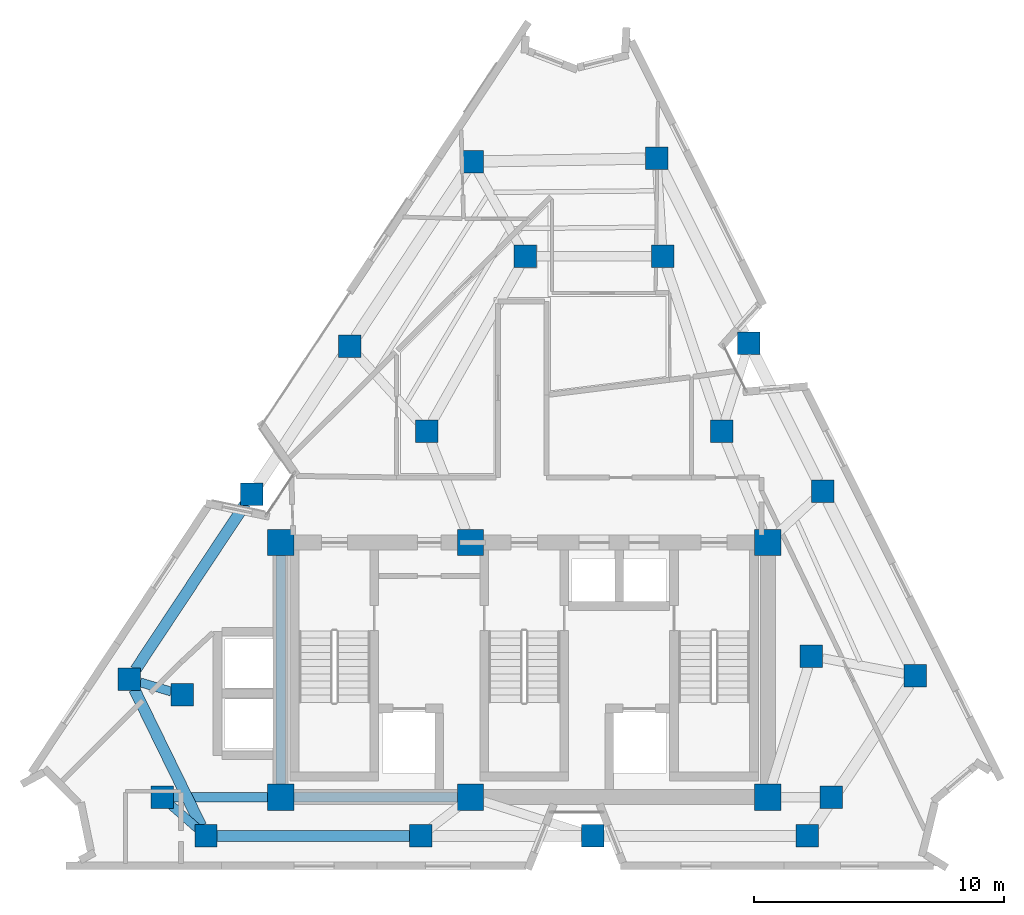
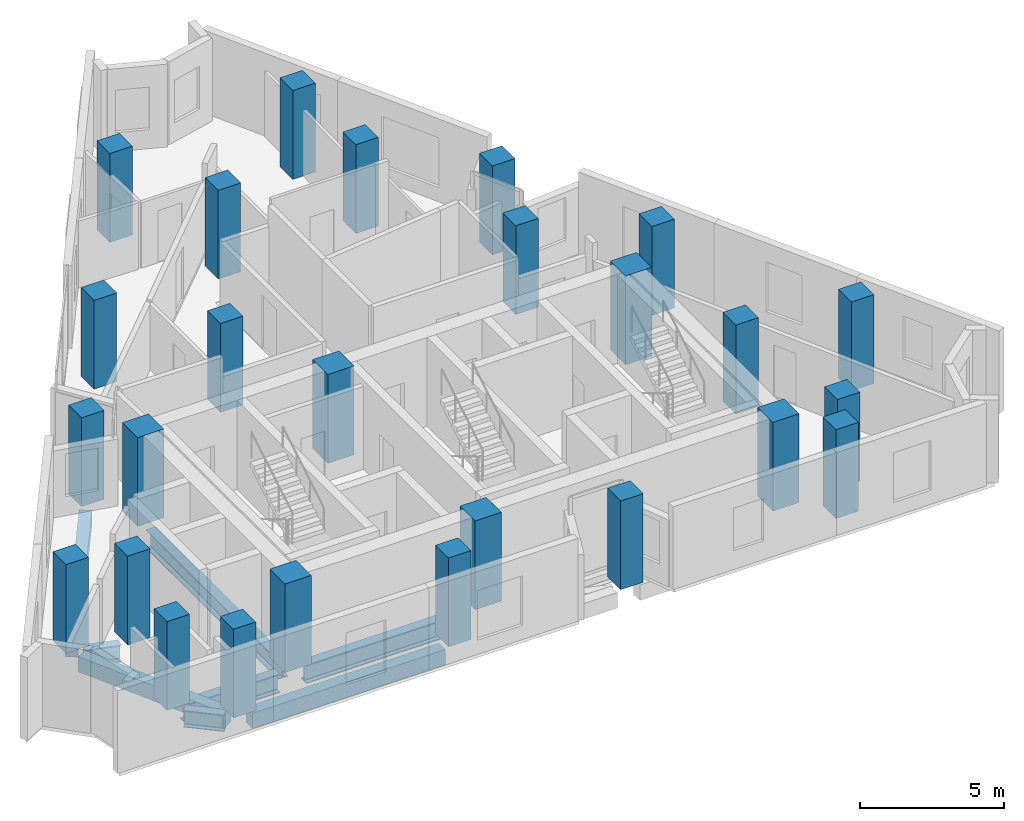
# One storey, part 1 of 8: 26 columns, 8 beams.
"""IFC4 building model written with IfcOpenShell, lengths in metres."""

from ifc_helpers import new_model, si_unit, direction, frame, origin, origin_2d, place, context, subcontext, project, spatial, rectangle, i_section, extrude, material, material_profile, profile_set, type_object, element, save


model = new_model("IFC4")

# Units and contexts
model_context = context("Model", 3, precision=1e-05, world=origin(), true_north=direction((0.0, 1.0)))
body_context = subcontext(model_context, "Body", "Model", "MODEL_VIEW")
ifc_project = project(units=[si_unit("LENGTHUNIT", "METRE"), si_unit("AREAUNIT", "SQUARE_METRE"), si_unit("VOLUMEUNIT", "CUBIC_METRE"), si_unit("PLANEANGLEUNIT", "RADIAN"), si_unit("MASSUNIT", "GRAM", prefix="KILO")], contexts=[model_context])

# Site, building, storey
site_placement = place(None, origin())
site = spatial("IfcSite", under=ifc_project, at=site_placement, CompositionType="ELEMENT")
building_placement = place(site_placement, origin())
building = spatial("IfcBuilding", under=site, at=building_placement, Name="Almagre Mirador Tower", CompositionType="ELEMENT")
storey_placement = place(building_placement, frame((0.0, 0.0, 263.25)))
storey = spatial("IfcBuildingStorey", under=building, at=storey_placement, Name="L68", CompositionType="ELEMENT", Elevation=263.25)

# Columns
ifc_material_1 = material(Name="Concrete C60/75", Category="concrete")
ifc_material_profile_1 = material_profile(ifc_material_1, rectangle(XDim=1.050048828125, YDim=1.050048828125, at=origin_2d()), Name="RC1050X1050")
ifc_profile_set_1 = profile_set([ifc_material_profile_1], Name="Concrete C60/75")
column_type_1 = type_object("IfcColumnType", Name="COL-RC1050", PredefinedType="COLUMN", material=ifc_profile_set_1)
for number, where, z_axis, x_axis, name in (
    (1, (27.550048828125, 4.550048828125, 0.0), (0.0, 0.0, 1.0), (1.0, 0.0, 0.0), "L68 core spine column CC1"),
    (2, (35.14990234375, 4.550048828125, 0.0), (0.0, 0.0, 1.0), (1.0, 0.0, 0.0), "L68 core spine column CC2"),
    (3, (47.050048828125, 4.550048828125, 0.0), (0.0, 0.0, 1.0), (1.0, 0.0, 0.0), "L68 core spine column CC3"),
    (4, (27.550048828125, 14.75, 0.0), (0.0, 0.0, 1.0), (1.0, 0.0, 0.0), "L68 core spine column CC4"),
    (5, (35.14990234375, 14.75, 0.0), (0.0, 0.0, 1.0), (1.0, 0.0, 0.0), "L68 core spine column CC5"),
    (6, (47.050048828125, 14.75, 0.0), (0.0, 0.0, 1.0), (1.0, 0.0, 0.0), "L68 core spine column CC6"),
):
    element("IfcColumn", number, at=place(storey_placement, frame(where, z_axis=z_axis, x_axis=x_axis)), inside=storey, type_object=column_type_1, Name=name, PredefinedType="COLUMN", context=body_context, shape_type="SweptSolid", body=[
        extrude(rectangle(XDim=1.050048828125, YDim=1.050048828125, at=origin_2d()), origin(), (0.0, 0.0, 1.0), 3.75),
    ])
ifc_material_2 = material(Name="Concrete C60/75", Category="concrete")
ifc_material_profile_2 = material_profile(ifc_material_2, rectangle(XDim=0.89990234375, YDim=0.89990234375, at=origin_2d()), Name="RC900X900")
ifc_profile_set_2 = profile_set([ifc_material_profile_2], Name="Concrete C60/75")
column_type_2 = type_object("IfcColumnType", Name="COL-RC900", PredefinedType="COLUMN", material=ifc_profile_set_2)
for number, where, z_axis, x_axis, name in (
    (7, (22.800048828125, 4.550048828125, 0.0), (0.0, 0.0, 1.0), (1.0, 0.0, 0.0), "L68 interior transfer column MC1"),
    (8, (49.60009765625, 4.550048828125, 0.0), (0.0, 0.0, 1.0), (1.0, 0.0, 0.0), "L68 interior transfer column MC2"),
    (9, (48.800048828125, 10.199951171875, 0.0), (0.0, 0.0, 1.0), (1.0, 0.0, 0.0), "L68 interior transfer column MC3"),
    (10, (45.199951171875, 19.199951171875, 0.0), (0.0, 0.0, 1.0), (1.0, 0.0, 0.0), "L68 interior transfer column MC5"),
    (11, (42.85009765625, 26.199951171875, 0.0), (0.0, 0.0, 1.0), (1.0, 0.0, 0.0), "L68 interior transfer column MC6"),
    (12, (37.35009765625, 26.199951171875, 0.0), (0.0, 0.0, 1.0), (1.0, 0.0, 0.0), "L68 interior transfer column MC7"),
    (13, (33.39990234375, 19.199951171875, 0.0), (0.0, 0.0, 1.0), (1.0, 0.0, 0.0), "L68 interior transfer column MC8"),
    (14, (23.60009765625, 8.64990234375, 0.0), (0.0, 0.0, 1.0), (1.0, 0.0, 0.0), "L68 interior transfer column MC10"),
    (15, (24.56005859375, 3.0, 0.0), (0.0, 0.0, 1.0), (1.0, 0.0, 0.0), "L68 perimeter column PC01"),
    (16, (33.159912109375, 3.0, 0.0), (0.0, 0.0, 1.0), (1.0, 0.0, 0.0), "L68 perimeter column PC02"),
    (17, (40.0400390625, 3.0, 0.0), (0.0, 0.0, 1.0), (1.0, 0.0, 0.0), "L68 perimeter column PC03"),
    (18, (48.639892578125, 3.0, 0.0), (0.0, 0.0, 1.0), (1.0, 0.0, 0.0), "L68 perimeter column PC04"),
    (19, (52.95703125, 9.403076171875, 0.0), (0.0, 0.0, 1.0), (1.0, 0.0, 0.0), "L68 perimeter column PC05"),
    (20, (49.257080078125, 16.802978515625, 0.0), (0.0, 0.0, 1.0), (1.0, 0.0, 0.0), "L68 perimeter column PC06"),
    (21, (46.297119140625, 22.722900390625, 0.0), (0.0, 0.0, 1.0), (1.0, 0.0, 0.0), "L68 perimeter column PC07"),
    (22, (42.596923828125, 30.123046875, 0.0), (0.0, 0.0, 1.0), (1.0, 0.0, 0.0), "L68 perimeter column PC08"),
    (23, (35.2109375, 29.9970703125, 0.0), (0.0, 0.0, 1.0), (1.0, 0.0, 0.0), "L68 perimeter column PC09"),
    (24, (30.31103515625, 22.596923828125, 0.0), (0.0, 0.0, 1.0), (1.0, 0.0, 0.0), "L68 perimeter column PC10"),
    (25, (26.39111328125, 16.677001953125, 0.0), (0.0, 0.0, 1.0), (1.0, 0.0, 0.0), "L68 perimeter column PC11"),
    (26, (21.490966796875, 9.277099609375, 0.0), (0.0, 0.0, 1.0), (1.0, 0.0, 0.0), "L68 perimeter column PC12"),
):
    element("IfcColumn", number, at=place(storey_placement, frame(where, z_axis=z_axis, x_axis=x_axis)), inside=storey, type_object=column_type_2, Name=name, PredefinedType="COLUMN", context=body_context, shape_type="SweptSolid", body=[
        extrude(rectangle(XDim=0.89990234375, YDim=0.89990234375, at=origin_2d()), origin(), (0.0, 0.0, 1.0), 3.75),
    ])

# Beams
ifc_material_3 = material(Name="Precast concrete C50/60", Category="concrete")
ifc_material_profile_3 = material_profile(ifc_material_3, rectangle(XDim=0.449951171875, YDim=0.64990234375, at=origin_2d()), Name="RC450X650")
ifc_profile_set_3 = profile_set([ifc_material_profile_3], Name="Precast concrete C50/60")
beam_type_1 = type_object("IfcBeamType", Name="BM-SPN-RC450X650", PredefinedType="SPANDREL", material=ifc_profile_set_3)
beam_1_placement = place(storey_placement, frame((25.010009765625, 3.0, -0.574951171875), z_axis=(1.0, 0.0, 0.0), x_axis=(0.0, 1.0, 0.0)))
element("IfcBeam", 27, at=beam_1_placement, inside=storey, type_object=beam_type_1, Name="L68 perimeter spandrel beam PC01-PC02", PredefinedType="SPANDREL", context=body_context, shape_type="SweptSolid", body=[
    extrude(rectangle(XDim=0.449951171875, YDim=0.64990234375, at=origin_2d()), origin(), (0.0, 0.0, 1.0), 7.699951171875),
])
beam_2_placement = place(storey_placement, frame((26.142578125, 16.3017578125, -0.574951171875), z_axis=(-0.552090728818, -0.833784041076, 0.0), x_axis=(0.833784041076, -0.552090728818, 0.0)))
element("IfcBeam", 28, at=beam_2_placement, inside=storey, type_object=beam_type_1, Name="L68 perimeter spandrel beam PC11-PC12", PredefinedType="SPANDREL", context=body_context, shape_type="SweptSolid", body=[
    extrude(rectangle(XDim=0.449951171875, YDim=0.64990234375, at=origin_2d()), origin(), (0.0, 0.0, 1.0), 7.975341796875),
])
beam_3_placement = place(storey_placement, frame((21.688720703125, 8.872802734375, -0.574951171875), z_axis=(0.439222360978, -0.898378382207, 0.0), x_axis=(0.898378382207, 0.439222360978, 0.0)))
element("IfcBeam", 29, at=beam_3_placement, inside=storey, type_object=beam_type_1, Name="L68 perimeter spandrel beam PC12-PC01", PredefinedType="SPANDREL", context=body_context, shape_type="SweptSolid", body=[
    extrude(rectangle(XDim=0.449951171875, YDim=0.64990234375, at=origin_2d()), origin(), (0.0, 0.0, 1.0), 6.087158203125),
])
ifc_material_4 = material(Name="Steel ASTM A992 Grade 50", Category="steel")
ifc_material_profile_4 = material_profile(ifc_material_4, i_section(OverallWidth=0.35791015625, OverallDepth=0.7060546875, WebThickness=0.018310546875, FlangeThickness=0.0302734375, FilletRadius=0.02197265625, at=origin_2d()), Name="W27X178")
ifc_profile_set_4 = profile_set([ifc_material_profile_4], Name="Steel ASTM A992 Grade 50")
beam_type_2 = type_object("IfcBeamType", Name="BM-STL-W27X178", PredefinedType="BEAM", material=ifc_profile_set_4)
beam_4_placement = place(storey_placement, frame((24.222412109375, 3.29736328125, -0.60302734375), z_axis=(-0.750448751167, 0.660928643555, 0.0), x_axis=(-0.660928643555, -0.750448751167, 0.0)))
element("IfcBeam", 30, at=beam_4_placement, inside=storey, type_object=beam_type_2, Name="L68 radial floor girder PC01-MC1", PredefinedType="BEAM", context=body_context, shape_type="SweptSolid", body=[
    extrude(i_section(OverallWidth=0.35791015625, OverallDepth=0.7060546875, WebThickness=0.018310546875, FlangeThickness=0.0302734375, FilletRadius=0.02197265625, at=origin_2d()), origin(), (0.0, 0.0, 1.0), 1.4453125),
])
beam_5_placement = place(storey_placement, frame((21.92236328125, 9.148681640625, -0.60302734375), z_axis=(0.958572390617, -0.284849033607, 0.0), x_axis=(0.284849033607, 0.958572390617, 0.0)))
element("IfcBeam", 31, at=beam_5_placement, inside=storey, type_object=beam_type_2, Name="L68 radial floor girder PC12-MC10", PredefinedType="BEAM", context=body_context, shape_type="SweptSolid", body=[
    extrude(i_section(OverallWidth=0.35791015625, OverallDepth=0.7060546875, WebThickness=0.018310546875, FlangeThickness=0.0302734375, FilletRadius=0.02197265625, at=origin_2d()), origin(), (0.0, 0.0, 1.0), 1.30029296875),
])
ifc_material_5 = material(Name="Steel ASTM A992 Grade 50", Category="steel")
ifc_material_profile_5 = material_profile(ifc_material_5, i_section(OverallWidth=0.384033203125, OverallDepth=0.784912109375, WebThickness=0.019775390625, FlangeThickness=0.033447265625, FilletRadius=0.02392578125, at=origin_2d()), Name="W30X211")
ifc_profile_set_5 = profile_set([ifc_material_profile_5], Name="Steel ASTM A992 Grade 50")
beam_type_3 = type_object("IfcBeamType", Name="BM-STL-W30X211", PredefinedType="BEAM", material=ifc_profile_set_5)
beam_6_placement = place(storey_placement, frame((28.074951171875, 4.550048828125, -0.642578125), z_axis=(1.0, 0.0, 0.0), x_axis=(0.0, 1.0, 0.0)))
element("IfcBeam", 32, at=beam_6_placement, inside=storey, type_object=beam_type_3, Name="L68 core tie girder CC1-CC2", PredefinedType="BEAM", context=body_context, shape_type="SweptSolid", body=[
    extrude(i_section(OverallWidth=0.384033203125, OverallDepth=0.784912109375, WebThickness=0.019775390625, FlangeThickness=0.033447265625, FilletRadius=0.02392578125, at=origin_2d()), origin(), (0.0, 0.0, 1.0), 6.550048828125),
])
beam_7_placement = place(storey_placement, frame((27.550048828125, 5.074951171875, -0.642578125), z_axis=(0.0, 1.0, 0.0), x_axis=(-1.0, 0.0, 0.0)))
element("IfcBeam", 33, at=beam_7_placement, inside=storey, type_object=beam_type_3, Name="L68 core tie girder CC1-CC4", PredefinedType="BEAM", context=body_context, shape_type="SweptSolid", body=[
    extrude(i_section(OverallWidth=0.384033203125, OverallDepth=0.784912109375, WebThickness=0.019775390625, FlangeThickness=0.033447265625, FilletRadius=0.02392578125, at=origin_2d()), origin(), (0.0, 0.0, 1.0), 9.150146484375),
])
beam_8_placement = place(storey_placement, frame((23.25, 4.550048828125, -0.642578125), z_axis=(1.0, 0.0, 0.0), x_axis=(0.0, 1.0, 0.0)))
element("IfcBeam", 34, at=beam_8_placement, inside=storey, type_object=beam_type_3, Name="L68 core tie girder MC1-CC1", PredefinedType="BEAM", context=body_context, shape_type="SweptSolid", body=[
    extrude(i_section(OverallWidth=0.384033203125, OverallDepth=0.784912109375, WebThickness=0.019775390625, FlangeThickness=0.033447265625, FilletRadius=0.02392578125, at=origin_2d()), origin(), (0.0, 0.0, 1.0), 3.77490234375),
])

save(model, "model.ifc")
